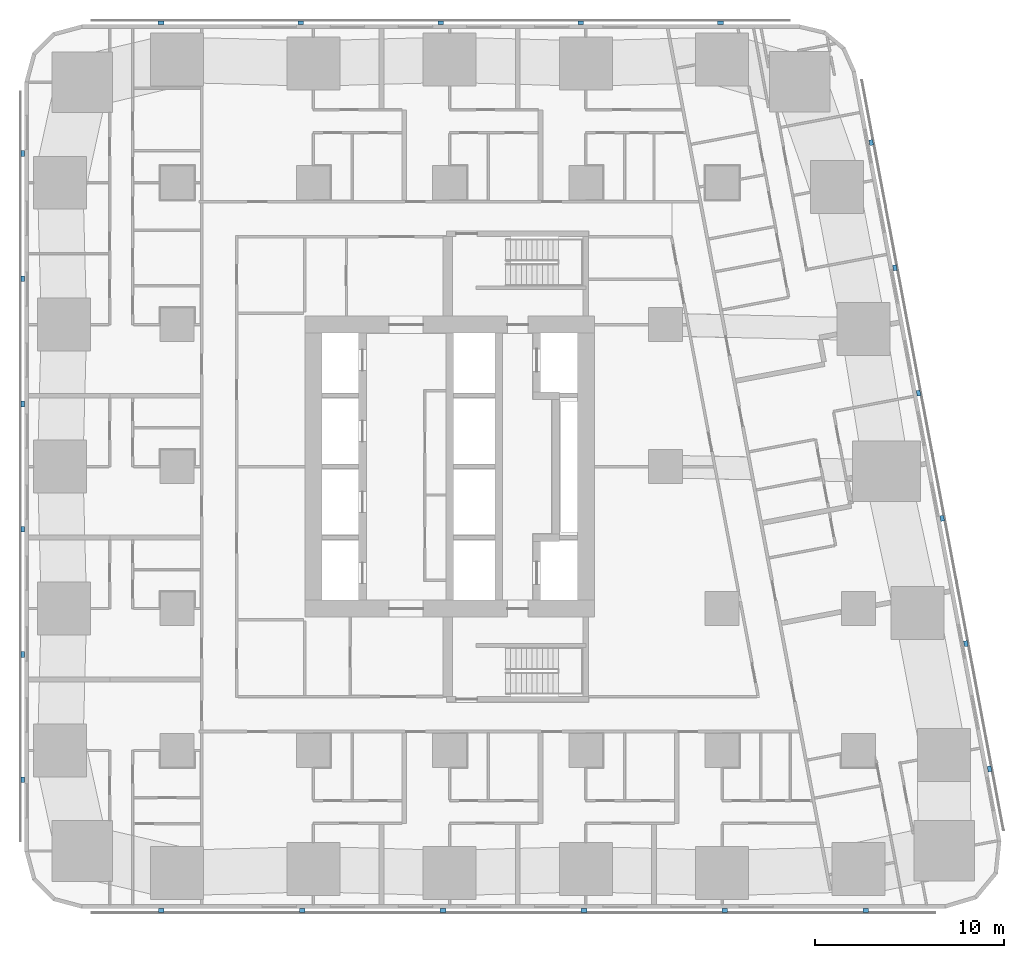
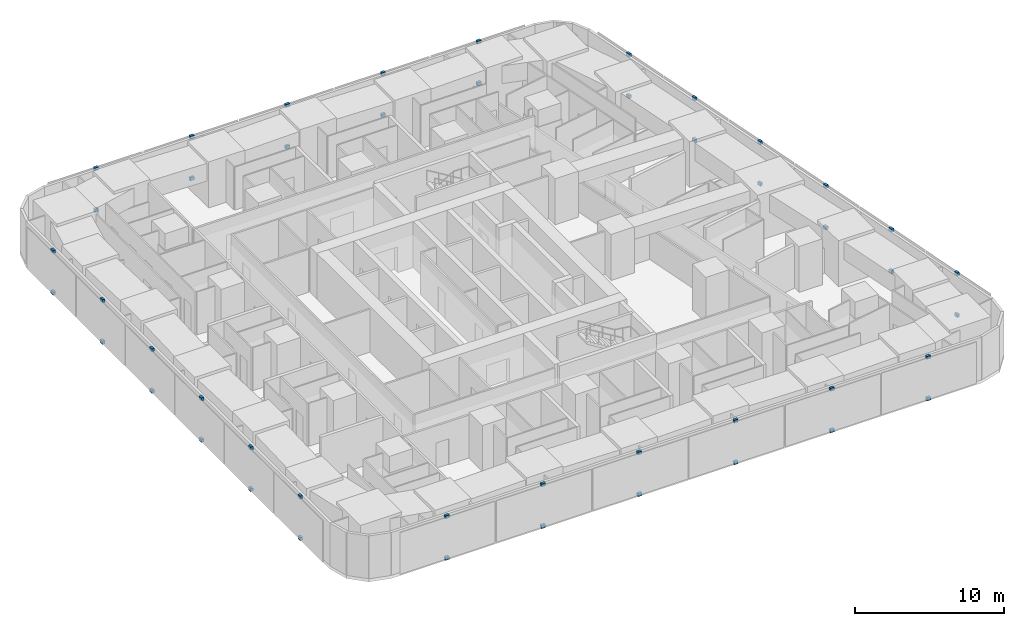
# One storey, part 11 of 15: 46 discrete accessories.
"""IFC4 building model written with IfcOpenShell, lengths in metres."""

import ifcopenshell
import ifcopenshell.guid

model = None  # the IFC model being written
_history = None  # IfcOwnerHistory: only IFC2X3 demands one
_inside = {}  # id of a spatial element -> (the spatial element, [elements in it])
_under = {}  # id of a project, library or spatial element -> (it, [spatial elements below it])
_declared = {}  # id of a project -> (the project, [libraries it declares])
_typed = {}  # id of a type object -> (the type object, [elements of that type])
_made_of = {}  # id of a material, layer set ... -> (it, [elements and type objects made of it])


def new_model(schema):
    """Start an empty IFC model of exactly this schema.

    Asked for "IFC4X3", IfcOpenShell would pick the latest addendum, in which some entities
    have other attributes; the version numbers below select the first issue.
    IFC2X3 requires an IfcOwnerHistory on every rooted entity: one is made here for all.
    """
    global model, _history
    if schema == "IFC4X3":
        model = ifcopenshell.file(schema_version=(4, 3, 0, 0))
    else:
        model = ifcopenshell.file(schema=schema)
    _inside.clear()
    _under.clear()
    _declared.clear()
    _typed.clear()
    _made_of.clear()
    _history = None
    if model.schema == "IFC2X3":
        org = make("IfcOrganization", Name="unknown")
        user = make(
            "IfcPersonAndOrganization",
            ThePerson=make("IfcPerson", FamilyName="unknown"),
            TheOrganization=org,
        )
        app = make(
            "IfcApplication",
            ApplicationDeveloper=org,
            Version="unknown",
            ApplicationFullName="unknown",
            ApplicationIdentifier="unknown",
        )
        _history = make(
            "IfcOwnerHistory",
            OwningUser=user,
            OwningApplication=app,
            ChangeAction="ADDED",
            CreationDate=0,
        )
    return model


def make(cls, **values):
    """One entity of the class cls with the attributes given. An attribute that is None is left unset."""
    return model.create_entity(
        cls, **{name: value for name, value in values.items() if value is not None}
    )


def rooted(cls, **values):
    """An entity with a GlobalId (a new one), such as an element, a storey or a relation."""
    return make(cls, GlobalId=ifcopenshell.guid.new(), OwnerHistory=_history, **values)


def si_unit(unit_type, name, prefix=None):
    """IfcSIUnit, for example si_unit("LENGTHUNIT", "METRE", prefix="MILLI")."""
    return make("IfcSIUnit", UnitType=unit_type, Prefix=prefix, Name=name)


def assignment(units):
    """IfcUnitAssignment: the units of a project."""
    return None if units is None else make("IfcUnitAssignment", Units=units)


def point(xyz):
    """IfcCartesianPoint."""
    return None if xyz is None else make("IfcCartesianPoint", Coordinates=xyz)


def direction(xyz):
    """IfcDirection."""
    return None if xyz is None else make("IfcDirection", DirectionRatios=xyz)


def frame(location, z_axis=None, x_axis=None):
    """IfcAxis2Placement3D, a coordinate frame: its origin and axes. An axis left out is left unset."""
    return make(
        "IfcAxis2Placement3D",
        Location=point(location),
        Axis=direction(z_axis),
        RefDirection=direction(x_axis),
    )


def frame_2d(location, x_axis=None):
    """IfcAxis2Placement2D, a coordinate frame in the plane: its origin and x axis."""
    return make(
        "IfcAxis2Placement2D", Location=point(location), RefDirection=direction(x_axis)
    )


def origin():
    """The frame at (0, 0, 0) with its axes left unset."""
    return frame((0.0, 0.0, 0.0))


def origin_2d():
    """The frame at (0, 0) in the plane with its x axis left unset."""
    return frame_2d((0.0, 0.0))


def place(relative_to, where):
    """IfcLocalPlacement: puts the frame where relative to a parent placement (None: the world)."""
    return make(
        "IfcLocalPlacement", PlacementRelTo=relative_to, RelativePlacement=where
    )


def context(
    kind, dimensions, precision=None, world=None, true_north=None, identifier=None
):
    """IfcGeometricRepresentationContext, for example the 3D "Model" context."""
    return make(
        "IfcGeometricRepresentationContext",
        ContextIdentifier=identifier,
        ContextType=kind,
        CoordinateSpaceDimension=dimensions,
        Precision=precision,
        WorldCoordinateSystem=world,
        TrueNorth=true_north,
    )


def subcontext(parent, identifier, kind, view, scale=None):
    """IfcGeometricRepresentationSubContext, for example "Body" below "Model"."""
    return make(
        "IfcGeometricRepresentationSubContext",
        ContextIdentifier=identifier,
        ContextType=kind,
        ParentContext=parent,
        TargetScale=scale,
        TargetView=view,
    )


def project(units=None, contexts=None):
    """IfcProject with its units and contexts."""
    return rooted(
        "IfcProject",
        Name="project",
        RepresentationContexts=contexts,
        UnitsInContext=assignment(units),
    )


def spatial(cls, under=None, at=None, **own):
    """A site, building, storey or space (cls), placed at a placement, below another one or the project."""
    s = rooted(cls, ObjectPlacement=at, **own)
    if under is not None:
        _under.setdefault(under.id(), (under, []))[1].append(s)
    return s


def profile(cls, at=None, kind="AREA", **sizes):
    """A parametric profile (cls). Its sizes go by their IFC names, for example OverallWidth=200.0."""
    return make(cls, ProfileType=kind, Position=at, **sizes)


def rectangle(**sizes):
    """IfcRectangleProfileDef."""
    return profile("IfcRectangleProfileDef", **sizes)


def extrude(swept, where, along, depth):
    """IfcExtrudedAreaSolid: the profile swept, set in the frame where, extruded along a direction by depth."""
    return make(
        "IfcExtrudedAreaSolid",
        SweptArea=swept,
        Position=where,
        ExtrudedDirection=direction(along),
        Depth=depth,
    )


def shape(context_of_items, identifier, shape_type, items):
    """IfcShapeRepresentation: the items that make up one representation, for example the "Body"."""
    return make(
        "IfcShapeRepresentation",
        ContextOfItems=context_of_items,
        RepresentationIdentifier=identifier,
        RepresentationType=shape_type,
        Items=items,
    )


def material(Name=None, Category=None):
    """IfcMaterial."""
    return make("IfcMaterial", Name=Name, Category=Category)


def made_of(thing, what):
    """Note that an element or type object is made of a material, layer set ...; save() writes the relation."""
    if what is not None:
        _made_of.setdefault(what.id(), (what, []))[1].append(thing)
    return thing


def type_object(cls, material=None, **own):
    """A type object (cls), such as IfcWallType, which elements share."""
    return made_of(rooted(cls, **own), material)


def element(
    cls,
    number,
    at=None,
    inside=None,
    cuts=None,
    type_object=None,
    material=None,
    context=None,
    identifier="Body",
    shape_type=None,
    held_by="IfcProductDefinitionShape",
    body=None,
    shapes=None,
    **own,
):
    """One element of the class cls, such as IfcWall. Its Tag is "e" and its number.

    at: its placement. inside: the storey or other place that contains it. cuts: it is an
    opening in that element (IfcRelVoidsElement). A single representation is given by context,
    identifier, shape_type and body (its items); several are given by shapes. held_by: the class
    of the entity that holds the representations. save() writes the other relations.
    """
    e = rooted(cls, Tag="e%d" % number, ObjectPlacement=at, **own)
    if body is not None:
        shapes = [shape(context, identifier, shape_type, body)]
    if shapes is not None:
        e.Representation = make(held_by, Representations=shapes)
    if inside is not None:
        _inside.setdefault(inside.id(), (inside, []))[1].append(e)
    if cuts is not None:
        rooted(
            "IfcRelVoidsElement", RelatingBuildingElement=cuts, RelatedOpeningElement=e
        )
    if type_object is not None:
        _typed.setdefault(type_object.id(), (type_object, []))[1].append(e)
    return made_of(e, material)


def aggregate(whole, parts):
    """IfcRelAggregates: a whole, such as a stair, and the parts it consists of."""
    return rooted("IfcRelAggregates", RelatingObject=whole, RelatedObjects=parts)


def save(model, path):
    """Write the relations noted so far, then the file.

    IfcRelAggregates (storeys below a building ...), IfcRelContainedInSpatialStructure (elements
    in a storey), IfcRelDefinesByType, IfcRelAssociatesMaterial and IfcRelDeclares: one each for
    every whole, place, type object, material and project.
    """
    for whole, parts in _under.values():
        aggregate(whole, parts)
    for where, things in _inside.values():
        rooted(
            "IfcRelContainedInSpatialStructure",
            RelatedElements=things,
            RelatingStructure=where,
        )
    for kind, things in _typed.values():
        rooted("IfcRelDefinesByType", RelatedObjects=things, RelatingType=kind)
    for what, things in _made_of.values():
        rooted("IfcRelAssociatesMaterial", RelatedObjects=things, RelatingMaterial=what)
    for by, libraries in _declared.values():
        rooted("IfcRelDeclares", RelatingContext=by, RelatedDefinitions=libraries)
    model.write(path)


model = new_model("IFC4")

# Units and contexts
model_context = context("Model", 3, precision=1e-05, world=origin(), true_north=direction((0.0, 1.0)))
body_context = subcontext(model_context, "Body", "Model", "MODEL_VIEW")
ifc_project = project(units=[si_unit("LENGTHUNIT", "METRE"), si_unit("AREAUNIT", "SQUARE_METRE"), si_unit("VOLUMEUNIT", "CUBIC_METRE"), si_unit("PLANEANGLEUNIT", "RADIAN"), si_unit("MASSUNIT", "GRAM", prefix="KILO")], contexts=[model_context])

# Site, building, storey
site_placement = place(None, origin())
site = spatial("IfcSite", under=ifc_project, at=site_placement, CompositionType="ELEMENT")
building_placement = place(site_placement, origin())
building = spatial("IfcBuilding", under=site, at=building_placement, Name="Sheger Commons Tower", CompositionType="ELEMENT")
storey_placement = place(building_placement, frame((0.0, 0.0, 65.0)))
storey = spatial("IfcBuildingStorey", under=building, at=storey_placement, Name="L16", CompositionType="ELEMENT", Elevation=65.0)

# Discrete accessories
ifc_material = material(Name="Black painted steel bracket", Category="steel")
discrete_accessory_type = type_object("IfcDiscreteAccessoryType", Name="SCREEN BRACKET 300x200x250", PredefinedType="BRACKET", material=ifc_material)
for number, where, z_axis, x_axis, name in (
    (1, (6.37109375, -0.949951171875, -0.10009765625), (0.0, 0.0, 1.0), (1.0, 0.0, 0.0), "Solar screen foot bracket"),
    (2, (6.37109375, -0.949951171875, 3.300048828125), (0.0, 0.0, 1.0), (1.0, 0.0, 0.0), "Solar screen head bracket"),
    (3, (13.81396484375, -0.949951171875, -0.10009765625), (0.0, 0.0, 1.0), (1.0, 0.0, 0.0), "Solar screen foot bracket"),
    (4, (13.81396484375, -0.949951171875, 3.300048828125), (0.0, 0.0, 1.0), (1.0, 0.0, 0.0), "Solar screen head bracket"),
    (5, (21.257080078125, -0.949951171875, -0.10009765625), (0.0, 0.0, 1.0), (1.0, 0.0, 0.0), "Solar screen foot bracket"),
    (6, (21.257080078125, -0.949951171875, 3.300048828125), (0.0, 0.0, 1.0), (1.0, 0.0, 0.0), "Solar screen head bracket"),
    (7, (28.698974609375, -0.949951171875, -0.10009765625), (0.0, 0.0, 1.0), (1.0, 0.0, 0.0), "Solar screen foot bracket"),
    (8, (28.698974609375, -0.949951171875, 3.300048828125), (0.0, 0.0, 1.0), (1.0, 0.0, 0.0), "Solar screen head bracket"),
    (9, (36.14208984375, -0.949951171875, -0.10009765625), (0.0, 0.0, 1.0), (1.0, 0.0, 0.0), "Solar screen foot bracket"),
    (10, (36.14208984375, -0.949951171875, 3.300048828125), (0.0, 0.0, 1.0), (1.0, 0.0, 0.0), "Solar screen head bracket"),
    (11, (43.5849609375, -0.949951171875, -0.10009765625), (0.0, 0.0, 1.0), (1.0, 0.0, 0.0), "Solar screen foot bracket"),
    (12, (43.5849609375, -0.949951171875, 3.300048828125), (0.0, 0.0, 1.0), (1.0, 0.0, 0.0), "Solar screen head bracket"),
    (13, (50.134033203125, 6.527099609375, -0.10009765625), (0.0, 0.0, 1.0), (-0.185615165645, 0.982622516678, 0.0), "Solar screen foot bracket"),
    (14, (50.134033203125, 6.527099609375, 3.300048828125), (0.0, 0.0, 1.0), (-0.185615165645, 0.982622516678, 0.0), "Solar screen head bracket"),
    (15, (48.884033203125, 13.14599609375, -0.10009765625), (0.0, 0.0, 1.0), (-0.185615165645, 0.982622516678, 0.0), "Solar screen foot bracket"),
    (16, (48.884033203125, 13.14599609375, 3.300048828125), (0.0, 0.0, 1.0), (-0.185615165645, 0.982622516678, 0.0), "Solar screen head bracket"),
    (17, (47.633056640625, 19.76611328125, -0.10009765625), (0.0, 0.0, 1.0), (-0.185615165645, 0.982622516678, 0.0), "Solar screen foot bracket"),
    (18, (47.633056640625, 19.76611328125, 3.300048828125), (0.0, 0.0, 1.0), (-0.185615165645, 0.982622516678, 0.0), "Solar screen head bracket"),
    (19, (46.383056640625, 26.385009765625, -0.10009765625), (0.0, 0.0, 1.0), (-0.185615165645, 0.982622516678, 0.0), "Solar screen foot bracket"),
    (20, (46.383056640625, 26.385009765625, 3.300048828125), (0.0, 0.0, 1.0), (-0.185615165645, 0.982622516678, 0.0), "Solar screen head bracket"),
    (21, (45.133056640625, 33.0048828125, -0.10009765625), (0.0, 0.0, 1.0), (-0.185615165645, 0.982622516678, 0.0), "Solar screen foot bracket"),
    (22, (45.133056640625, 33.0048828125, 3.300048828125), (0.0, 0.0, 1.0), (-0.185615165645, 0.982622516678, 0.0), "Solar screen head bracket"),
    (23, (43.882080078125, 39.6240234375, -0.10009765625), (0.0, 0.0, 1.0), (-0.185615165645, 0.982622516678, 0.0), "Solar screen foot bracket"),
    (24, (43.882080078125, 39.6240234375, 3.300048828125), (0.0, 0.0, 1.0), (-0.185615165645, 0.982622516678, 0.0), "Solar screen head bracket"),
    (25, (35.9208984375, 45.949951171875, -0.10009765625), (0.0, 0.0, 1.0), (-1.0, 0.0, 0.0), "Solar screen foot bracket"),
    (26, (35.9208984375, 45.949951171875, 3.300048828125), (0.0, 0.0, 1.0), (-1.0, 0.0, 0.0), "Solar screen head bracket"),
    (27, (28.528076171875, 45.949951171875, -0.10009765625), (0.0, 0.0, 1.0), (-1.0, 0.0, 0.0), "Solar screen foot bracket"),
    (28, (28.528076171875, 45.949951171875, 3.300048828125), (0.0, 0.0, 1.0), (-1.0, 0.0, 0.0), "Solar screen head bracket"),
    (29, (21.134033203125, 45.949951171875, -0.10009765625), (0.0, 0.0, 1.0), (-1.0, 0.0, 0.0), "Solar screen foot bracket"),
    (30, (21.134033203125, 45.949951171875, 3.300048828125), (0.0, 0.0, 1.0), (-1.0, 0.0, 0.0), "Solar screen head bracket"),
    (31, (13.739990234375, 45.949951171875, -0.10009765625), (0.0, 0.0, 1.0), (-1.0, 0.0, 0.0), "Solar screen foot bracket"),
    (32, (13.739990234375, 45.949951171875, 3.300048828125), (0.0, 0.0, 1.0), (-1.0, 0.0, 0.0), "Solar screen head bracket"),
    (33, (6.346923828125, 45.949951171875, -0.10009765625), (0.0, 0.0, 1.0), (-1.0, 0.0, 0.0), "Solar screen foot bracket"),
    (34, (6.346923828125, 45.949951171875, 3.300048828125), (0.0, 0.0, 1.0), (-1.0, 0.0, 0.0), "Solar screen head bracket"),
    (35, (-0.949951171875, 39.0419921875, -0.10009765625), (0.0, 0.0, 1.0), (0.0, -1.0, 0.0), "Solar screen foot bracket"),
    (36, (-0.949951171875, 39.0419921875, 3.300048828125), (0.0, 0.0, 1.0), (0.0, -1.0, 0.0), "Solar screen head bracket"),
    (37, (-0.949951171875, 32.425048828125, -0.10009765625), (0.0, 0.0, 1.0), (0.0, -1.0, 0.0), "Solar screen foot bracket"),
    (38, (-0.949951171875, 32.425048828125, 3.300048828125), (0.0, 0.0, 1.0), (0.0, -1.0, 0.0), "Solar screen head bracket"),
    (39, (-0.949951171875, 25.80810546875, -0.10009765625), (0.0, 0.0, 1.0), (0.0, -1.0, 0.0), "Solar screen foot bracket"),
    (40, (-0.949951171875, 25.80810546875, 3.300048828125), (0.0, 0.0, 1.0), (0.0, -1.0, 0.0), "Solar screen head bracket"),
    (41, (-0.949951171875, 19.19189453125, -0.10009765625), (0.0, 0.0, 1.0), (0.0, -1.0, 0.0), "Solar screen foot bracket"),
    (42, (-0.949951171875, 19.19189453125, 3.300048828125), (0.0, 0.0, 1.0), (0.0, -1.0, 0.0), "Solar screen head bracket"),
    (43, (-0.949951171875, 12.574951171875, -0.10009765625), (0.0, 0.0, 1.0), (0.0, -1.0, 0.0), "Solar screen foot bracket"),
    (44, (-0.949951171875, 12.574951171875, 3.300048828125), (0.0, 0.0, 1.0), (0.0, -1.0, 0.0), "Solar screen head bracket"),
    (45, (-0.949951171875, 5.9580078125, -0.10009765625), (0.0, 0.0, 1.0), (0.0, -1.0, 0.0), "Solar screen foot bracket"),
    (46, (-0.949951171875, 5.9580078125, 3.300048828125), (0.0, 0.0, 1.0), (0.0, -1.0, 0.0), "Solar screen head bracket"),
):
    element("IfcDiscreteAccessory", number, at=place(storey_placement, frame(where, z_axis=z_axis, x_axis=x_axis)), inside=storey, type_object=discrete_accessory_type, Name=name, PredefinedType="BRACKET", context=body_context, shape_type="SweptSolid", body=[
        extrude(rectangle(XDim=0.300048828125, YDim=0.199951171875, at=origin_2d()), origin(), (0.0, 0.0, 1.0), 0.25),
    ])

save(model, "model.ifc")
